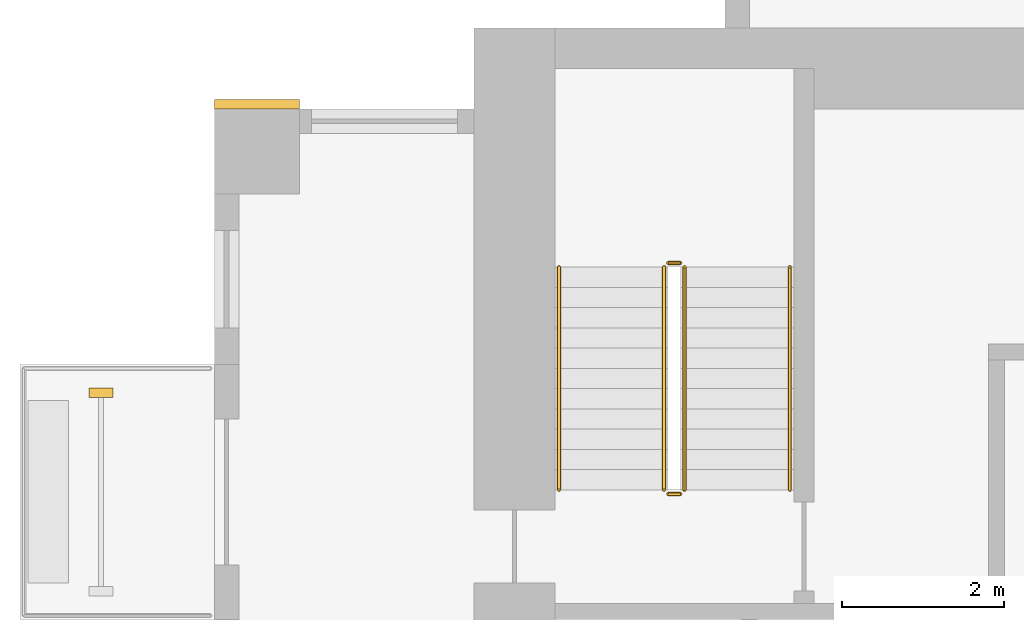
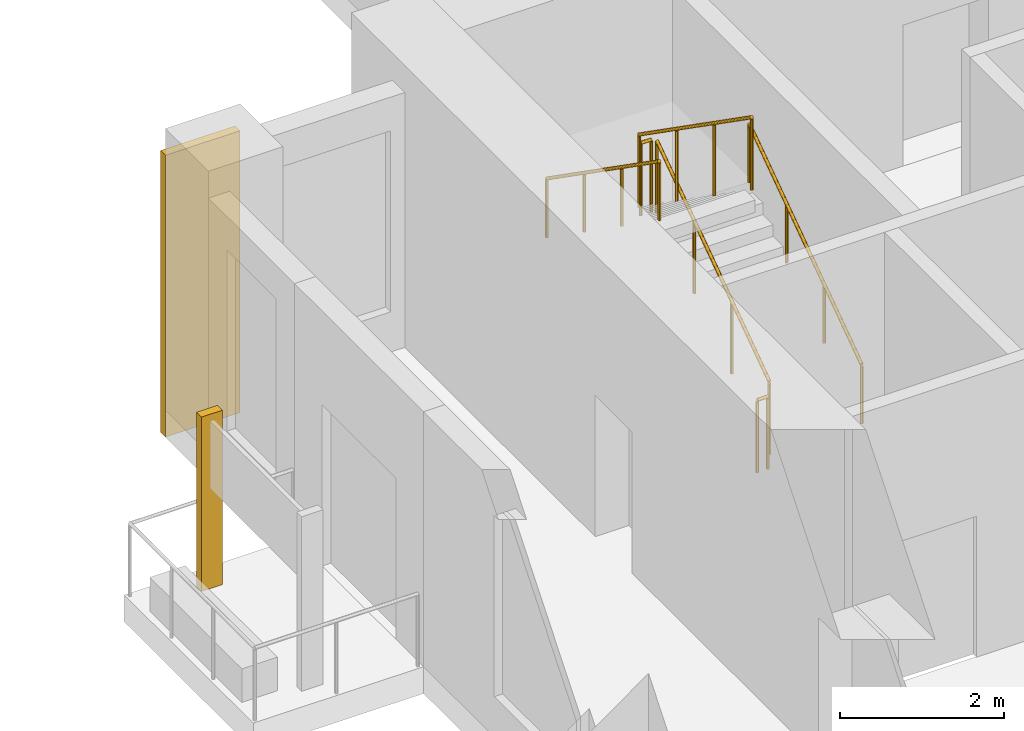
# One storey, part 11 of 14: 6 railings, 2 coverings.
"""IFC4 building model written with IfcOpenShell, lengths in metres."""

from ifc_helpers import new_model, si_unit, direction, frame, origin, origin_2d, place, context, subcontext, project, spatial, rectangle, circle, extrude, source, transform, mapped, material, type_object, element, save


model = new_model("IFC4")

# Units and contexts
model_context = context("Model", 3, precision=1e-05, world=origin(), true_north=direction((0.0, 1.0)))
body_context = subcontext(model_context, "Body", "Model", "MODEL_VIEW")
ifc_project = project(units=[si_unit("LENGTHUNIT", "METRE"), si_unit("AREAUNIT", "SQUARE_METRE"), si_unit("VOLUMEUNIT", "CUBIC_METRE"), si_unit("PLANEANGLEUNIT", "RADIAN"), si_unit("MASSUNIT", "GRAM", prefix="KILO")], contexts=[model_context])

# Site, building, storey
site_placement = place(None, origin())
site = spatial("IfcSite", under=ifc_project, at=site_placement, CompositionType="ELEMENT")
building_placement = place(site_placement, origin())
building = spatial("IfcBuilding", under=site, at=building_placement, Name="Aurelian Terraces", CompositionType="ELEMENT")
storey_placement = place(building_placement, frame((0.0, 0.0, 141.3)))
storey = spatial("IfcBuildingStorey", under=building, at=storey_placement, Name="L31", CompositionType="ELEMENT", Elevation=141.3)

# Coverings
ifc_material_1 = material(Name="Terracotta rainscreen cladding relief", Category="masonry")
covering_type_1 = type_object("IfcCoveringType", Name="FIN-TC", PredefinedType="CLADDING", material=ifc_material_1)
shared_shape_1 = source(origin(), body_context, "Body", "SweptSolid", [
    extrude(rectangle(XDim=0.3, YDim=0.12, at=origin_2d()), origin(), (0.0, 0.0, 1.0), 2.6),
])
covering_1_placement = place(storey_placement, frame((-1.4, 17.5, 0.0), z_axis=(0.0, 0.0, 1.0), x_axis=(1.0, 0.0, 0.0)))
element("IfcCovering", 1, at=covering_1_placement, inside=storey, type_object=covering_type_1, Name="FIN L31 L31-F20-37.1", PredefinedType="CLADDING", context=body_context, shape_type="MappedRepresentation", body=[
    mapped(shared_shape_1, transform((0.0, 0.0, 0.0), scale=1.0)),
])
covering_type_2 = type_object("IfcCoveringType", Name="BAGUETTE-TC", PredefinedType="CLADDING", material=ifc_material_1)
shared_shape_2 = source(origin(), body_context, "Body", "SweptSolid", [
    extrude(rectangle(XDim=1.05, YDim=0.12, at=origin_2d()), origin(), (0.0, 0.0, 1.0), 4.2),
])
covering_2_placement = place(storey_placement, frame((0.525, 21.06, -0.4), z_axis=(0.0, 0.0, 1.0), x_axis=(1.0, 0.0, 0.0)))
element("IfcCovering", 2, at=covering_2_placement, inside=storey, type_object=covering_type_2, Name="BAGUETTE pier L31 6", PredefinedType="CLADDING", context=body_context, shape_type="MappedRepresentation", body=[
    mapped(shared_shape_2, transform((0.0, 0.0, 0.0), scale=1.0)),
])

# Railings
ifc_material_2 = material(Name="Stainless steel", Category="steel")
railing_type_1 = type_object("IfcRailingType", Name="Stair guard 1100", PredefinedType="GUARDRAIL", material=ifc_material_2)
shared_shape_3 = source(origin(), body_context, "Body", "SweptSolid", [
    extrude(circle(Radius=0.024, at=origin_2d()), frame((0.0, 0.0, 1.076), z_axis=(-1.0, 0.0, 0.0), x_axis=(0.0, -1.0, 0.0)), (0.0, 0.0, 1.0), 0.15),
    extrude(circle(Radius=0.021, at=origin_2d()), origin(), (0.0, 0.0, 1.0), 1.052),
    extrude(circle(Radius=0.021, at=origin_2d()), frame((-0.15, 0.0, 0.0)), (0.0, 0.0, 1.0), 1.052),
])
for number, where, name in (
    (3, (5.75, 19.1, 2.1), "L31 S1 stair guard 2"),
    (4, (5.75, 16.25, 0.0), "L31 S1 stair guard 4"),
):
    element("IfcRailing", number, at=place(storey_placement, frame(where)), inside=storey, type_object=railing_type_1, Name=name, PredefinedType="GUARDRAIL", context=body_context, shape_type="MappedRepresentation", body=[
        mapped(shared_shape_3, transform((0.0, 0.0, 0.0), scale=1.0)),
    ])
shared_shape_4 = source(origin(), body_context, "Body", "SweptSolid", [
    extrude(circle(Radius=0.024, at=origin_2d()), frame((0.0, 0.0, 1.076), z_axis=(0.0, 0.819231920519, 0.573462344363), x_axis=(-1.0, 0.0, 0.0)), (0.0, 0.0, 1.0), 3.3568),
    extrude(circle(Radius=0.021, at=origin_2d()), origin(), (0.0, 0.0, 1.0), 1.052),
    extrude(circle(Radius=0.021, at=origin_2d()), frame((0.0, 0.9167, 0.6417)), (0.0, 0.0, 1.0), 1.052),
    extrude(circle(Radius=0.021, at=origin_2d()), frame((0.0, 1.8333, 1.2833)), (0.0, 0.0, 1.0), 1.052),
    extrude(circle(Radius=0.021, at=origin_2d()), frame((0.0, 2.75, 1.925)), (0.0, 0.0, 1.0), 1.052),
])
railing_1_placement = place(storey_placement, frame((5.8, 16.3, 0.175)))
element("IfcRailing", 5, at=railing_1_placement, inside=storey, type_object=railing_type_1, Name="L31 S1 stair guard 1", PredefinedType="GUARDRAIL", context=body_context, shape_type="MappedRepresentation", body=[
    mapped(shared_shape_4, transform((0.0, 0.0, 0.0), scale=1.0)),
])
shared_shape_5 = source(origin(), body_context, "Body", "SweptSolid", [
    extrude(circle(Radius=0.024, at=origin_2d()), frame((0.0, 0.0, 1.076), z_axis=(0.0, -0.819231920519, 0.573462344363), x_axis=(1.0, 0.0, 0.0)), (0.0, 0.0, 1.0), 3.3568),
    extrude(circle(Radius=0.021, at=origin_2d()), origin(), (0.0, 0.0, 1.0), 1.052),
    extrude(circle(Radius=0.021, at=origin_2d()), frame((0.0, -0.9167, 0.6417)), (0.0, 0.0, 1.0), 1.052),
    extrude(circle(Radius=0.021, at=origin_2d()), frame((0.0, -1.8333, 1.2833)), (0.0, 0.0, 1.0), 1.052),
    extrude(circle(Radius=0.021, at=origin_2d()), frame((0.0, -2.75, 1.925)), (0.0, 0.0, 1.0), 1.052),
])
railing_2_placement = place(storey_placement, frame((5.55, 19.05, 2.275)))
element("IfcRailing", 6, at=railing_2_placement, inside=storey, type_object=railing_type_1, Name="L31 S1 stair guard 3", PredefinedType="GUARDRAIL", context=body_context, shape_type="MappedRepresentation", body=[
    mapped(shared_shape_5, transform((0.0, 0.0, 0.0), scale=1.0)),
])
railing_type_2 = type_object("IfcRailingType", Name="Stair handrail", PredefinedType="HANDRAIL", material=ifc_material_2)
shared_shape_6 = source(origin(), body_context, "Body", "SweptSolid", [
    extrude(circle(Radius=0.024, at=origin_2d()), frame((0.0, 0.0, 0.876), z_axis=(0.0, 0.819231920519, 0.573462344363), x_axis=(-1.0, 0.0, 0.0)), (0.0, 0.0, 1.0), 3.3568),
    extrude(circle(Radius=0.021, at=origin_2d()), origin(), (0.0, 0.0, 1.0), 0.852),
    extrude(circle(Radius=0.021, at=origin_2d()), frame((0.0, 0.9167, 0.6417)), (0.0, 0.0, 1.0), 0.852),
    extrude(circle(Radius=0.021, at=origin_2d()), frame((0.0, 1.8333, 1.2833)), (0.0, 0.0, 1.0), 0.852),
    extrude(circle(Radius=0.021, at=origin_2d()), frame((0.0, 2.75, 1.925)), (0.0, 0.0, 1.0), 0.852),
])
railing_3_placement = place(storey_placement, frame((7.1, 16.3, 0.175)))
element("IfcRailing", 7, at=railing_3_placement, inside=storey, type_object=railing_type_2, Name="L31 S1 stair handrail 1", PredefinedType="HANDRAIL", context=body_context, shape_type="MappedRepresentation", body=[
    mapped(shared_shape_6, transform((0.0, 0.0, 0.0), scale=1.0)),
])
shared_shape_7 = source(origin(), body_context, "Body", "SweptSolid", [
    extrude(circle(Radius=0.024, at=origin_2d()), frame((0.0, 0.0, 0.876), z_axis=(0.0, -0.819231920519, 0.573462344363), x_axis=(1.0, 0.0, 0.0)), (0.0, 0.0, 1.0), 3.3568),
    extrude(circle(Radius=0.021, at=origin_2d()), origin(), (0.0, 0.0, 1.0), 0.852),
    extrude(circle(Radius=0.021, at=origin_2d()), frame((0.0, -0.9167, 0.6417)), (0.0, 0.0, 1.0), 0.852),
    extrude(circle(Radius=0.021, at=origin_2d()), frame((0.0, -1.8333, 1.2833)), (0.0, 0.0, 1.0), 0.852),
    extrude(circle(Radius=0.021, at=origin_2d()), frame((0.0, -2.75, 1.925)), (0.0, 0.0, 1.0), 0.852),
])
railing_4_placement = place(storey_placement, frame((4.25, 19.05, 2.275)))
element("IfcRailing", 8, at=railing_4_placement, inside=storey, type_object=railing_type_2, Name="L31 S1 stair handrail 2", PredefinedType="HANDRAIL", context=body_context, shape_type="MappedRepresentation", body=[
    mapped(shared_shape_7, transform((0.0, 0.0, 0.0), scale=1.0)),
])

save(model, "model.ifc")
